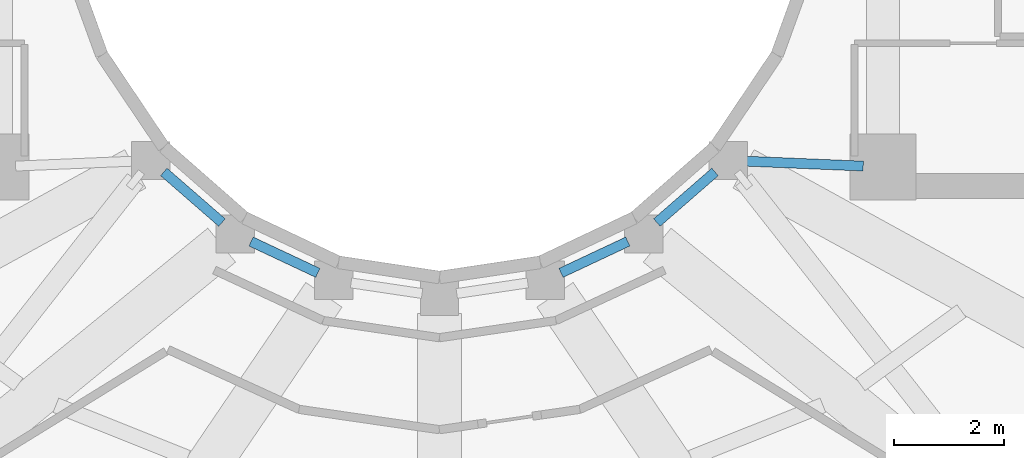
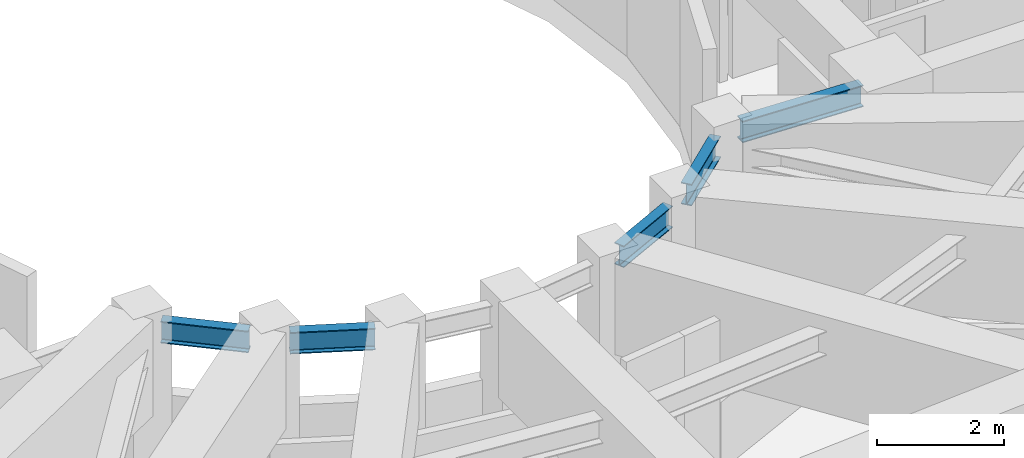
# One storey, part 7 of 21: 5 beams.
"""IFC4 building model written with IfcOpenShell, lengths in metres."""

from ifc_helpers import new_model, si_unit, direction, frame, origin, origin_2d, place, context, subcontext, project, spatial, i_section, extrude, material, material_profile, profile_set, type_object, element, save


model = new_model("IFC4")

# Units and contexts
model_context = context("Model", 3, precision=1e-05, world=origin(), true_north=direction((0.0, 1.0)))
body_context = subcontext(model_context, "Body", "Model", "MODEL_VIEW")
ifc_project = project(units=[si_unit("LENGTHUNIT", "METRE"), si_unit("AREAUNIT", "SQUARE_METRE"), si_unit("VOLUMEUNIT", "CUBIC_METRE"), si_unit("PLANEANGLEUNIT", "RADIAN"), si_unit("MASSUNIT", "GRAM", prefix="KILO")], contexts=[model_context])

# Site, building, storey
site_placement = place(None, origin())
site = spatial("IfcSite", under=ifc_project, at=site_placement, CompositionType="ELEMENT")
building_placement = place(site_placement, origin())
building = spatial("IfcBuilding", under=site, at=building_placement, Name="Solvane Sanctuary Tower", CompositionType="ELEMENT")
storey_placement = place(building_placement, frame((0.0, 0.0, 260.39990234375)))
storey = spatial("IfcBuildingStorey", under=building, at=storey_placement, Name="L79", CompositionType="ELEMENT", Elevation=260.39990234375)

# Beams
ifc_material = material(Name="Steel ASTM A992 Grade 50", Category="steel")
ifc_material_profile = material_profile(ifc_material, i_section(OverallWidth=0.180908203125, OverallDepth=0.4169921875, WebThickness=0.010986328125, FlangeThickness=0.018310546875, FilletRadius=0.012939453125, at=origin_2d()), Name="W16X57")
ifc_profile_set = profile_set([ifc_material_profile], Name="Steel ASTM A992 Grade 50")
beam_type = type_object("IfcBeamType", Name="Beam B-ROOF-BM W16X57", PredefinedType="BEAM", material=ifc_profile_set)
beam_1_placement = place(storey_placement, frame((26.96630859375, 16.807861328125, 2.7294921875), z_axis=(0.754388985763, -0.656427648839, 0.0), x_axis=(0.656427648839, 0.754388985763, 0.0)))
element("IfcBeam", 1, at=beam_1_placement, inside=storey, type_object=beam_type, Name="L79 Inner Light-Well Ring Beam IC08-IC09", PredefinedType="BEAM", context=body_context, shape_type="SweptSolid", body=[
    extrude(i_section(OverallWidth=0.180908203125, OverallDepth=0.4169921875, WebThickness=0.010986328125, FlangeThickness=0.018310546875, FilletRadius=0.012939453125, at=origin_2d()), origin(), (0.0, 0.0, 1.0), 1.408203125),
])
for number, where, z_axis, x_axis, name in (
    (2, (28.5595703125, 15.537353515625, 2.7294921875), (0.905134542189, -0.425125229241, 0.0), (0.425125229241, 0.905134542189, 0.0), "L79 Inner Light-Well Ring Beam IC09-IC10"),
    (3, (34.220458984375, 14.96435546875, 2.7294921875), (0.905134542189, 0.425125229241, 0.0), (-0.425125229241, 0.905134542189, 0.0), "L79 Inner Light-Well Ring Beam IC12-IC13"),
):
    element("IfcBeam", number, at=place(storey_placement, frame(where, z_axis=z_axis, x_axis=x_axis)), inside=storey, type_object=beam_type, Name=name, PredefinedType="BEAM", context=body_context, shape_type="SweptSolid", body=[
        extrude(i_section(OverallWidth=0.180908203125, OverallDepth=0.4169921875, WebThickness=0.010986328125, FlangeThickness=0.018310546875, FilletRadius=0.012939453125, at=origin_2d()), origin(), (0.0, 0.0, 1.0), 1.347900390625),
    ])
beam_2_placement = place(storey_placement, frame((35.971435546875, 15.883544921875, 2.7294921875), z_axis=(0.754388985763, 0.656427648839, 0.0), x_axis=(-0.656427648839, 0.754388985763, 0.0)))
element("IfcBeam", 4, at=beam_2_placement, inside=storey, type_object=beam_type, Name="L79 Inner Light-Well Ring Beam IC13-IC14", PredefinedType="BEAM", context=body_context, shape_type="SweptSolid", body=[
    extrude(i_section(OverallWidth=0.180908203125, OverallDepth=0.4169921875, WebThickness=0.010986328125, FlangeThickness=0.018310546875, FilletRadius=0.012939453125, at=origin_2d()), origin(), (0.0, 0.0, 1.0), 1.408203125),
])
beam_3_placement = place(storey_placement, frame((37.5947265625, 17.004638671875, 2.7294921875), z_axis=(0.999129127803, -0.041725124022, 0.0), x_axis=(0.041725124022, 0.999129127803, 0.0)))
element("IfcBeam", 5, at=beam_3_placement, inside=storey, type_object=beam_type, Name="L79 Inner Light-Well Ring Beam IC14-CE1", PredefinedType="BEAM", context=body_context, shape_type="SweptSolid", body=[
    extrude(i_section(OverallWidth=0.180908203125, OverallDepth=0.4169921875, WebThickness=0.010986328125, FlangeThickness=0.018310546875, FilletRadius=0.012939453125, at=origin_2d()), origin(), (0.0, 0.0, 1.0), 2.1474609375),
])

save(model, "model.ifc")
